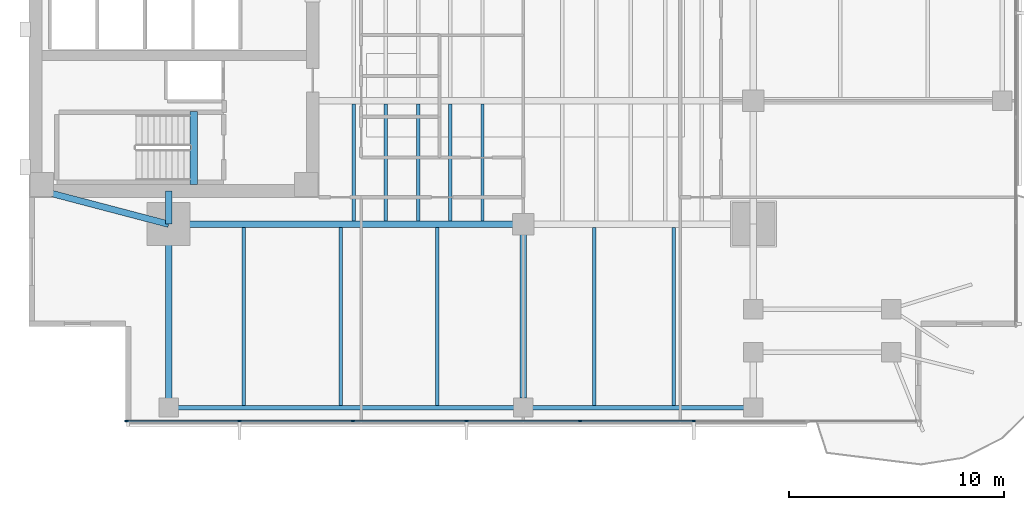
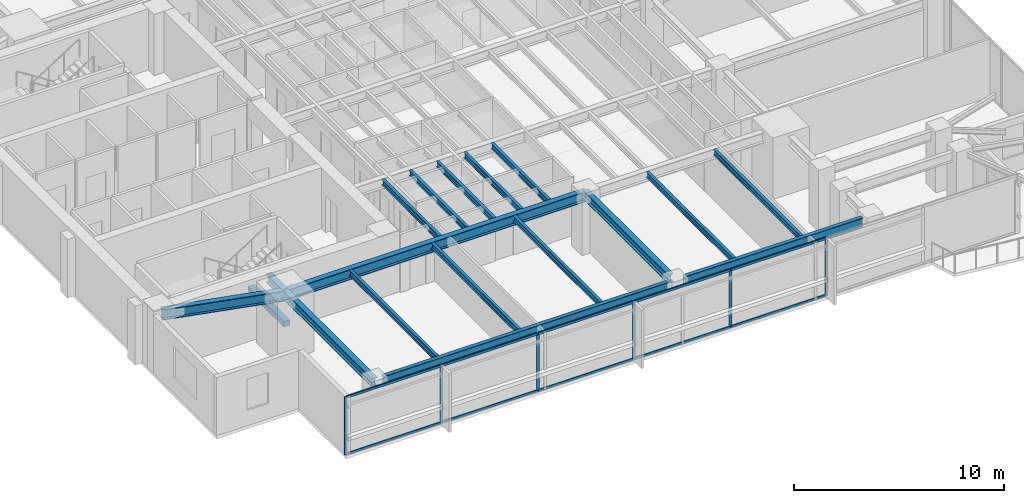
# One storey, part 2 of 14: 18 beams, 16 members, 1 element without a shape of its own.
"""IFC4 building model written with IfcOpenShell, lengths in metres."""

from ifc_helpers import new_model, si_unit, direction, frame, origin, origin_2d, place, context, subcontext, project, spatial, rectangle, i_section, extrude, material, layer, layer_set, material_profile, profile_set, type_object, element, aggregate, save


model = new_model("IFC4")

# Units and contexts
model_context = context("Model", 3, precision=1e-05, world=origin(), true_north=direction((0.0, 1.0)))
body_context = subcontext(model_context, "Body", "Model", "MODEL_VIEW")
ifc_project = project(units=[si_unit("LENGTHUNIT", "METRE"), si_unit("AREAUNIT", "SQUARE_METRE"), si_unit("VOLUMEUNIT", "CUBIC_METRE"), si_unit("PLANEANGLEUNIT", "RADIAN"), si_unit("MASSUNIT", "GRAM", prefix="KILO")], contexts=[model_context])

# Site, building, storey
site_placement = place(None, origin())
site = spatial("IfcSite", under=ifc_project, at=site_placement, CompositionType="ELEMENT")
building_placement = place(site_placement, origin())
building = spatial("IfcBuilding", under=site, at=building_placement, Name="Kinhvarn Gate Tower", CompositionType="ELEMENT")
storey_placement = place(building_placement, frame((0.0, 0.0, 151.949951171875)))
storey = spatial("IfcBuildingStorey", under=building, at=storey_placement, Name="L40", CompositionType="ELEMENT", Elevation=151.949951171875)

# Beam
ifc_material_1 = material(Name="Concrete C50/60", Category="concrete")
ifc_material_profile_1 = material_profile(ifc_material_1, rectangle(XDim=0.340087890625, YDim=0.320068359375, at=origin_2d()), Name="RC 340x320")
ifc_profile_set_1 = profile_set([ifc_material_profile_1], Name="Concrete C50/60")
beam_type_1 = type_object("IfcBeamType", Name="BM-LND-500", PredefinedType="BEAM", material=ifc_profile_set_1)
beam_1_placement = place(storey_placement, frame((12.1650390625, 14.60009765625, -0.159912109375), z_axis=(0.0, 1.0, 0.0), x_axis=(-1.0, 0.0, 0.0)))
element("IfcBeam", 1, at=beam_1_placement, inside=storey, type_object=beam_type_1, Name="Stair ST1 Landing Nosing Beam (L40)", PredefinedType="BEAM", context=body_context, shape_type="SweptSolid", body=[
    extrude(rectangle(XDim=0.340087890625, YDim=0.320068359375, at=origin_2d()), origin(), (0.0, 0.0, 1.0), 3.39990234375),
])

# Curtain wall, members
ifc_material_2 = material(Name="Anodised aluminium AW-6063", Category="aluminium")
ifc_layer = layer(ifc_material_2, 0.179931640625)
ifc_layer_set = layer_set([ifc_layer], Name="Anodised aluminium AW-6063")
curtain_wall_type = type_object("IfcCurtainWallType", Name="CW-SYS-3", PredefinedType="NOTDEFINED", material=ifc_layer_set)
curtain_wall_placement = place(storey_placement, origin())
curtain_wall = element("IfcCurtainWall", 2, at=curtain_wall_placement, inside=storey, type_object=curtain_wall_type, Name="Curtain Wall CW3 (L40)", PredefinedType="NOTDEFINED")
ifc_material_profile_2 = material_profile(ifc_material_2, rectangle(XDim=0.06494140625, YDim=0.159912109375, at=origin_2d()), Name="ALU 65x160")
ifc_profile_set_2 = profile_set([ifc_material_profile_2], Name="Anodised aluminium AW-6063")
member_type_1 = type_object("IfcMemberType", Name="CW-MUL-160", PredefinedType="MULLION", material=ifc_profile_set_2)
member_1_placement = place(storey_placement, frame((9.032470703125, 3.590087890625, 0.0), z_axis=(0.0, 0.0, 1.0), x_axis=(0.0, 1.0, 0.0)))
member_1 = element("IfcMember", 3, at=member_1_placement, type_object=member_type_1, Name="CW3 mullion 1", PredefinedType="MULLION", context=body_context, shape_type="SweptSolid", body=[
    extrude(rectangle(XDim=0.06494140625, YDim=0.159912109375, at=origin_2d()), origin(), (0.0, 0.0, 1.0), 3.3701171875),
])
member_2_placement = place(storey_placement, frame((14.28564453125, 3.590087890625, 0.0), z_axis=(0.0, 0.0, 1.0), x_axis=(0.0, 1.0, 0.0)))
member_2 = element("IfcMember", 4, at=member_2_placement, type_object=member_type_1, Name="CW3 mullion 2", PredefinedType="MULLION", context=body_context, shape_type="SweptSolid", body=[
    extrude(rectangle(XDim=0.06494140625, YDim=0.159912109375, at=origin_2d()), origin(), (0.0, 0.0, 1.0), 3.3701171875),
])
member_3_placement = place(storey_placement, frame((19.571533203125, 3.590087890625, 0.0), z_axis=(0.0, 0.0, 1.0), x_axis=(0.0, 1.0, 0.0)))
member_3 = element("IfcMember", 5, at=member_3_placement, type_object=member_type_1, Name="CW3 mullion 3", PredefinedType="MULLION", context=body_context, shape_type="SweptSolid", body=[
    extrude(rectangle(XDim=0.06494140625, YDim=0.159912109375, at=origin_2d()), origin(), (0.0, 0.0, 1.0), 3.3701171875),
])
member_4_placement = place(storey_placement, frame((24.857177734375, 3.590087890625, 0.0), z_axis=(0.0, 0.0, 1.0), x_axis=(0.0, 1.0, 0.0)))
member_4 = element("IfcMember", 6, at=member_4_placement, type_object=member_type_1, Name="CW3 mullion 4", PredefinedType="MULLION", context=body_context, shape_type="SweptSolid", body=[
    extrude(rectangle(XDim=0.06494140625, YDim=0.159912109375, at=origin_2d()), origin(), (0.0, 0.0, 1.0), 3.3701171875),
])
member_5_placement = place(storey_placement, frame((30.142822265625, 3.590087890625, 0.0), z_axis=(0.0, 0.0, 1.0), x_axis=(0.0, 1.0, 0.0)))
member_5 = element("IfcMember", 7, at=member_5_placement, type_object=member_type_1, Name="CW3 mullion 5", PredefinedType="MULLION", context=body_context, shape_type="SweptSolid", body=[
    extrude(rectangle(XDim=0.06494140625, YDim=0.159912109375, at=origin_2d()), origin(), (0.0, 0.0, 1.0), 3.3701171875),
])
member_6_placement = place(storey_placement, frame((35.428466796875, 3.590087890625, 0.0), z_axis=(0.0, 0.0, 1.0), x_axis=(0.0, 1.0, 0.0)))
member_6 = element("IfcMember", 8, at=member_6_placement, type_object=member_type_1, Name="CW3 mullion 6", PredefinedType="MULLION", context=body_context, shape_type="SweptSolid", body=[
    extrude(rectangle(XDim=0.06494140625, YDim=0.159912109375, at=origin_2d()), origin(), (0.0, 0.0, 1.0), 3.3701171875),
])
ifc_material_profile_3 = material_profile(ifc_material_2, rectangle(XDim=0.070068359375, YDim=0.139892578125, at=origin_2d()), Name="ALU 70x140")
ifc_profile_set_3 = profile_set([ifc_material_profile_3], Name="Anodised aluminium AW-6063")
member_type_2 = type_object("IfcMemberType", Name="CW-TRN-140", PredefinedType="USERDEFINED", material=ifc_profile_set_3)
member_7_placement = place(storey_placement, frame((9.06494140625, 3.590087890625, 0.03515625), z_axis=(1.0, 0.0, 0.0), x_axis=(0.0, 1.0, 0.0)))
member_7 = element("IfcMember", 9, at=member_7_placement, type_object=member_type_2, Name="CW3 transom 1.1", ObjectType="TRANSOM", PredefinedType="USERDEFINED", context=body_context, shape_type="SweptSolid", body=[
    extrude(rectangle(XDim=0.070068359375, YDim=0.139892578125, at=origin_2d()), origin(), (0.0, 0.0, 1.0), 5.188232421875),
])
member_8_placement = place(storey_placement, frame((9.06494140625, 3.590087890625, 3.3349609375), z_axis=(1.0, 0.0, 0.0), x_axis=(0.0, 1.0, 0.0)))
member_8 = element("IfcMember", 10, at=member_8_placement, type_object=member_type_2, Name="CW3 transom 1.2", ObjectType="TRANSOM", PredefinedType="USERDEFINED", context=body_context, shape_type="SweptSolid", body=[
    extrude(rectangle(XDim=0.070068359375, YDim=0.139892578125, at=origin_2d()), origin(), (0.0, 0.0, 1.0), 5.188232421875),
])
member_9_placement = place(storey_placement, frame((14.318115234375, 3.590087890625, 0.03515625), z_axis=(1.0, 0.0, 0.0), x_axis=(0.0, 1.0, 0.0)))
member_9 = element("IfcMember", 11, at=member_9_placement, type_object=member_type_2, Name="CW3 transom 2.1", ObjectType="TRANSOM", PredefinedType="USERDEFINED", context=body_context, shape_type="SweptSolid", body=[
    extrude(rectangle(XDim=0.070068359375, YDim=0.139892578125, at=origin_2d()), origin(), (0.0, 0.0, 1.0), 5.220703125),
])
member_10_placement = place(storey_placement, frame((14.318115234375, 3.590087890625, 3.3349609375), z_axis=(1.0, 0.0, 0.0), x_axis=(0.0, 1.0, 0.0)))
member_10 = element("IfcMember", 12, at=member_10_placement, type_object=member_type_2, Name="CW3 transom 2.2", ObjectType="TRANSOM", PredefinedType="USERDEFINED", context=body_context, shape_type="SweptSolid", body=[
    extrude(rectangle(XDim=0.070068359375, YDim=0.139892578125, at=origin_2d()), origin(), (0.0, 0.0, 1.0), 5.220703125),
])
member_11_placement = place(storey_placement, frame((19.60400390625, 3.590087890625, 0.03515625), z_axis=(1.0, 0.0, 0.0), x_axis=(0.0, 1.0, 0.0)))
member_11 = element("IfcMember", 13, at=member_11_placement, type_object=member_type_2, Name="CW3 transom 3.1", ObjectType="TRANSOM", PredefinedType="USERDEFINED", context=body_context, shape_type="SweptSolid", body=[
    extrude(rectangle(XDim=0.070068359375, YDim=0.139892578125, at=origin_2d()), origin(), (0.0, 0.0, 1.0), 5.220703125),
])
member_12_placement = place(storey_placement, frame((19.60400390625, 3.590087890625, 3.3349609375), z_axis=(1.0, 0.0, 0.0), x_axis=(0.0, 1.0, 0.0)))
member_12 = element("IfcMember", 14, at=member_12_placement, type_object=member_type_2, Name="CW3 transom 3.2", ObjectType="TRANSOM", PredefinedType="USERDEFINED", context=body_context, shape_type="SweptSolid", body=[
    extrude(rectangle(XDim=0.070068359375, YDim=0.139892578125, at=origin_2d()), origin(), (0.0, 0.0, 1.0), 5.220703125),
])
member_13_placement = place(storey_placement, frame((24.8896484375, 3.590087890625, 0.03515625), z_axis=(1.0, 0.0, 0.0), x_axis=(0.0, 1.0, 0.0)))
member_13 = element("IfcMember", 15, at=member_13_placement, type_object=member_type_2, Name="CW3 transom 4.1", ObjectType="TRANSOM", PredefinedType="USERDEFINED", context=body_context, shape_type="SweptSolid", body=[
    extrude(rectangle(XDim=0.070068359375, YDim=0.139892578125, at=origin_2d()), origin(), (0.0, 0.0, 1.0), 5.220703125),
])
member_14_placement = place(storey_placement, frame((24.8896484375, 3.590087890625, 3.3349609375), z_axis=(1.0, 0.0, 0.0), x_axis=(0.0, 1.0, 0.0)))
member_14 = element("IfcMember", 16, at=member_14_placement, type_object=member_type_2, Name="CW3 transom 4.2", ObjectType="TRANSOM", PredefinedType="USERDEFINED", context=body_context, shape_type="SweptSolid", body=[
    extrude(rectangle(XDim=0.070068359375, YDim=0.139892578125, at=origin_2d()), origin(), (0.0, 0.0, 1.0), 5.220703125),
])
member_15_placement = place(storey_placement, frame((30.17529296875, 3.590087890625, 0.03515625), z_axis=(1.0, 0.0, 0.0), x_axis=(0.0, 1.0, 0.0)))
member_15 = element("IfcMember", 17, at=member_15_placement, type_object=member_type_2, Name="CW3 transom 5.1", ObjectType="TRANSOM", PredefinedType="USERDEFINED", context=body_context, shape_type="SweptSolid", body=[
    extrude(rectangle(XDim=0.070068359375, YDim=0.139892578125, at=origin_2d()), origin(), (0.0, 0.0, 1.0), 5.220703125),
])
member_16_placement = place(storey_placement, frame((30.17529296875, 3.590087890625, 3.3349609375), z_axis=(1.0, 0.0, 0.0), x_axis=(0.0, 1.0, 0.0)))
member_16 = element("IfcMember", 18, at=member_16_placement, type_object=member_type_2, Name="CW3 transom 5.2", ObjectType="TRANSOM", PredefinedType="USERDEFINED", context=body_context, shape_type="SweptSolid", body=[
    extrude(rectangle(XDim=0.070068359375, YDim=0.139892578125, at=origin_2d()), origin(), (0.0, 0.0, 1.0), 5.220703125),
])
aggregate(curtain_wall, [member_1, member_2, member_3, member_4, member_5, member_6, member_7, member_8, member_9, member_10, member_11, member_12, member_13, member_14, member_15, member_16])

# Beams
ifc_material_3 = material(Name="Steel S355", Category="steel")
ifc_material_profile_4 = material_profile(ifc_material_3, i_section(OverallWidth=0.300048828125, OverallDepth=0.5, WebThickness=0.014404296875, FlangeThickness=0.028076171875, at=origin_2d()), Name="HEB 500")
ifc_profile_set_4 = profile_set([ifc_material_profile_4], Name="Steel S355")
beam_type_2 = type_object("IfcBeamType", Name="STL-HEB500", PredefinedType="BEAM", material=ifc_profile_set_4)
beam_2_placement = place(storey_placement, frame((11.0, 4.219970703125, 3.1201171875), z_axis=(0.0, 1.0, 0.0), x_axis=(-1.0, 0.0, 0.0)))
element("IfcBeam", 19, at=beam_2_placement, inside=storey, type_object=beam_type_2, Name="Floor Beam PG-14 (L40 MCW-S)", PredefinedType="BEAM", context=body_context, shape_type="SweptSolid", body=[
    extrude(i_section(OverallWidth=0.300048828125, OverallDepth=0.5, WebThickness=0.014404296875, FlangeThickness=0.028076171875, at=origin_2d()), origin(), (0.0, 0.0, 1.0), 8.530029296875),
])
beam_3_placement = place(storey_placement, frame((11.0, 12.75, 3.1201171875), z_axis=(0.0, 1.0, 0.0), x_axis=(-1.0, 0.0, 0.0)))
element("IfcBeam", 20, at=beam_3_placement, inside=storey, type_object=beam_type_2, Name="Floor Beam PG-14 (L40 MCW-CS)", PredefinedType="BEAM", context=body_context, shape_type="SweptSolid", body=[
    extrude(i_section(OverallWidth=0.300048828125, OverallDepth=0.5, WebThickness=0.014404296875, FlangeThickness=0.028076171875, at=origin_2d()), origin(), (0.0, 0.0, 1.0), 1.550048828125),
])
beam_4_placement = place(storey_placement, frame((27.5, 4.655029296875, 3.1201171875), z_axis=(0.0, 1.0, 0.0), x_axis=(-1.0, 0.0, 0.0)))
element("IfcBeam", 21, at=beam_4_placement, inside=storey, type_object=beam_type_2, Name="Floor Beam PG-14 (L40 SP27-S-TIE)", PredefinedType="BEAM", context=body_context, shape_type="SweptSolid", body=[
    extrude(i_section(OverallWidth=0.300048828125, OverallDepth=0.5, WebThickness=0.014404296875, FlangeThickness=0.028076171875, at=origin_2d()), origin(), (0.0, 0.0, 1.0), 8.094970703125),
])
ifc_material_profile_5 = material_profile(ifc_material_3, i_section(OverallWidth=0.300048828125, OverallDepth=0.60009765625, WebThickness=0.015380859375, FlangeThickness=0.030029296875, at=origin_2d()), Name="HEB 600")
ifc_profile_set_5 = profile_set([ifc_material_profile_5], Name="Steel S355")
beam_type_3 = type_object("IfcBeamType", Name="STL-HEB600", PredefinedType="BEAM", material=ifc_profile_set_5)
beam_5_placement = place(storey_placement, frame((11.0, 12.75, 3.070068359375), z_axis=(1.0, 0.0, 0.0), x_axis=(0.0, 1.0, 0.0)))
element("IfcBeam", 22, at=beam_5_placement, inside=storey, type_object=beam_type_3, Name="Floor Beam PG-16 (L40 MG-S1)", PredefinedType="BEAM", context=body_context, shape_type="SweptSolid", body=[
    extrude(i_section(OverallWidth=0.300048828125, OverallDepth=0.60009765625, WebThickness=0.015380859375, FlangeThickness=0.030029296875, at=origin_2d()), origin(), (0.0, 0.0, 1.0), 16.5),
])
beam_6_placement = place(storey_placement, frame((5.10009765625, 14.300048828125, 3.070068359375), z_axis=(0.967177623957, -0.254101246979, 0.0), x_axis=(0.254101246979, 0.967177623957, 0.0)))
element("IfcBeam", 23, at=beam_6_placement, inside=storey, type_object=beam_type_3, Name="Floor Beam PG-16 (L40 MG-SW-DIAG)", PredefinedType="BEAM", context=body_context, shape_type="SweptSolid", body=[
    extrude(i_section(OverallWidth=0.300048828125, OverallDepth=0.60009765625, WebThickness=0.015380859375, FlangeThickness=0.030029296875, at=origin_2d()), origin(), (0.0, 0.0, 1.0), 6.10009765625),
])
ifc_material_profile_6 = material_profile(ifc_material_3, i_section(OverallWidth=0.159912109375, OverallDepth=0.330078125, WebThickness=0.007568359375, FlangeThickness=0.011474609375, at=origin_2d()), Name="IPE 330")
ifc_profile_set_6 = profile_set([ifc_material_profile_6], Name="Steel S355")
beam_type_4 = type_object("IfcBeamType", Name="STL-IPE330", PredefinedType="JOIST", material=ifc_profile_set_6)
for number, where, z_axis, x_axis, name in (
    (24, (19.60009765625, 12.89990234375, 3.205078125), (0.0, 1.0, 0.0), (-1.0, 0.0, 0.0), "Floor Joist SB-03 (L40 JC-X196-0)"),
    (25, (21.10009765625, 12.89990234375, 3.205078125), (0.0, 1.0, 0.0), (-1.0, 0.0, 0.0), "Floor Joist SB-03 (L40 JC-X211-0)"),
    (26, (22.60009765625, 12.89990234375, 3.205078125), (0.0, 1.0, 0.0), (-1.0, 0.0, 0.0), "Floor Joist SB-03 (L40 JC-X226-0)"),
    (27, (24.10009765625, 12.89990234375, 3.205078125), (0.0, 1.0, 0.0), (-1.0, 0.0, 0.0), "Floor Joist SB-03 (L40 JC-X241-0)"),
    (28, (25.60009765625, 12.89990234375, 3.205078125), (0.0, 1.0, 0.0), (-1.0, 0.0, 0.0), "Floor Joist SB-03 (L40 JC-X256-0)"),
):
    element("IfcBeam", number, at=place(storey_placement, frame(where, z_axis=z_axis, x_axis=x_axis)), inside=storey, type_object=beam_type_4, Name=name, PredefinedType="JOIST", context=body_context, shape_type="SweptSolid", body=[
        extrude(i_section(OverallWidth=0.159912109375, OverallDepth=0.330078125, WebThickness=0.007568359375, FlangeThickness=0.011474609375, at=origin_2d()), origin(), (0.0, 0.0, 1.0), 5.4501953125),
    ])
for number, where, z_axis, x_axis, name in (
    (29, (14.5, 4.324951171875, 3.205078125), (0.0, 1.0, 0.0), (-1.0, 0.0, 0.0), "Floor Joist SB-03 (L40 JS-X145)"),
    (30, (19.0, 4.324951171875, 3.205078125), (0.0, 1.0, 0.0), (-1.0, 0.0, 0.0), "Floor Joist SB-03 (L40 JS-X190)"),
    (31, (23.5, 4.324951171875, 3.205078125), (0.0, 1.0, 0.0), (-1.0, 0.0, 0.0), "Floor Joist SB-03 (L40 JS-X235)"),
    (32, (30.800048828125, 4.324951171875, 3.205078125), (0.0, 1.0, 0.0), (-1.0, 0.0, 0.0), "Floor Joist SB-03 (L40 JS-X308)"),
    (33, (34.5, 4.324951171875, 3.205078125), (0.0, 1.0, 0.0), (-1.0, 0.0, 0.0), "Floor Joist SB-03 (L40 JS-X345)"),
):
    element("IfcBeam", number, at=place(storey_placement, frame(where, z_axis=z_axis, x_axis=x_axis)), inside=storey, type_object=beam_type_4, Name=name, PredefinedType="JOIST", context=body_context, shape_type="SweptSolid", body=[
        extrude(i_section(OverallWidth=0.159912109375, OverallDepth=0.330078125, WebThickness=0.007568359375, FlangeThickness=0.011474609375, at=origin_2d()), origin(), (0.0, 0.0, 1.0), 8.275146484375),
    ])
ifc_material_profile_7 = material_profile(ifc_material_3, i_section(OverallWidth=0.2099609375, OverallDepth=0.550048828125, WebThickness=0.010986328125, FlangeThickness=0.01708984375, at=origin_2d()), Name="IPE 550")
ifc_profile_set_7 = profile_set([ifc_material_profile_7], Name="Steel S355")
beam_type_5 = type_object("IfcBeamType", Name="STL-IPE550", PredefinedType="SPANDREL", material=ifc_profile_set_7)
beam_7_placement = place(storey_placement, frame((11.43505859375, 4.219970703125, 3.094970703125), z_axis=(1.0, 0.0, 0.0), x_axis=(0.0, 1.0, 0.0)))
element("IfcBeam", 34, at=beam_7_placement, inside=storey, type_object=beam_type_5, Name="Floor Spandrel SB-08 (L40 SP-S1)", PredefinedType="SPANDREL", context=body_context, shape_type="SweptSolid", body=[
    extrude(i_section(OverallWidth=0.2099609375, OverallDepth=0.550048828125, WebThickness=0.010986328125, FlangeThickness=0.01708984375, at=origin_2d()), origin(), (0.0, 0.0, 1.0), 15.6298828125),
])
beam_8_placement = place(storey_placement, frame((27.93505859375, 4.219970703125, 3.094970703125), z_axis=(1.0, 0.0, 0.0), x_axis=(0.0, 1.0, 0.0)))
element("IfcBeam", 35, at=beam_8_placement, inside=storey, type_object=beam_type_5, Name="Floor Spandrel SB-08 (L40 SP-S2)", PredefinedType="SPANDREL", context=body_context, shape_type="SweptSolid", body=[
    extrude(i_section(OverallWidth=0.2099609375, OverallDepth=0.550048828125, WebThickness=0.010986328125, FlangeThickness=0.01708984375, at=origin_2d()), origin(), (0.0, 0.0, 1.0), 9.829833984375),
])

save(model, "model.ifc")
